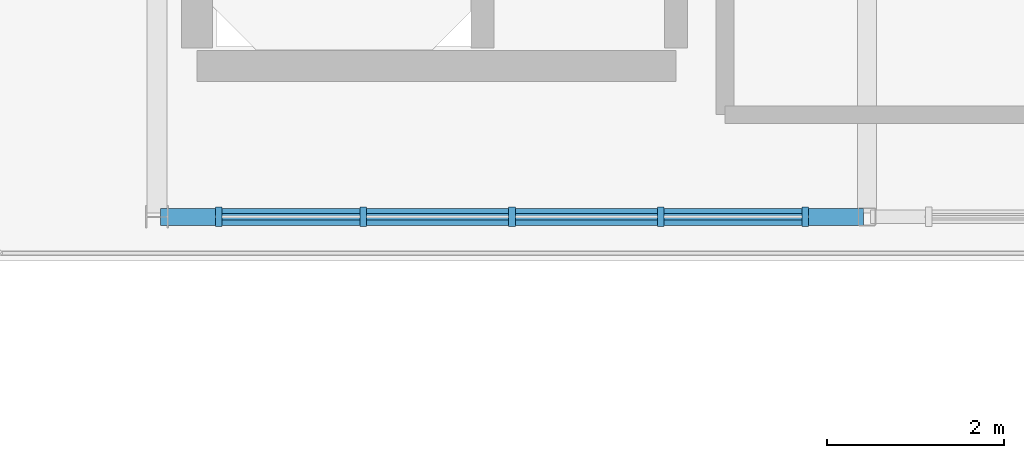
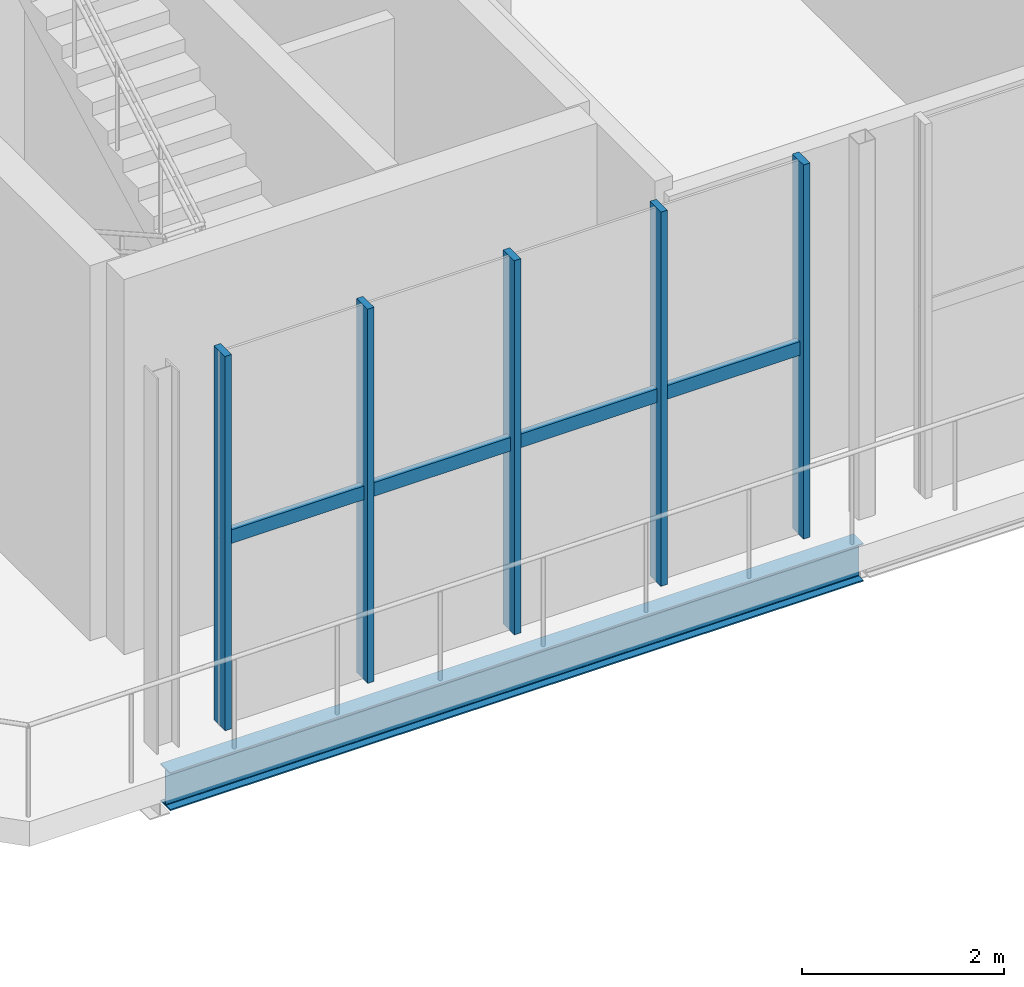
# One storey, part 24 of 70: 9 members, 1 beam, 1 element without a shape of its own.
"""IFC4 building model written with IfcOpenShell, lengths in metres."""

from ifc_helpers import new_model, si_unit, direction, frame, origin, origin_2d, place, context, subcontext, project, spatial, rectangle, i_section, extrude, material, material_profile, profile_set, type_object, element, aggregate, save


model = new_model("IFC4")

# Units and contexts
model_context = context("Model", 3, precision=1e-05, world=origin(), true_north=direction((0.0, 1.0)))
body_context = subcontext(model_context, "Body", "Model", "MODEL_VIEW")
ifc_project = project(units=[si_unit("LENGTHUNIT", "METRE"), si_unit("AREAUNIT", "SQUARE_METRE"), si_unit("VOLUMEUNIT", "CUBIC_METRE"), si_unit("PLANEANGLEUNIT", "RADIAN"), si_unit("MASSUNIT", "GRAM", prefix="KILO")], contexts=[model_context])

# Site, building, storey
site_placement = place(None, origin())
site = spatial("IfcSite", under=ifc_project, at=site_placement, CompositionType="ELEMENT")
building_placement = place(site_placement, origin())
building = spatial("IfcBuilding", under=site, at=building_placement, Name="Brisemont Oceanarium", CompositionType="ELEMENT")
storey_placement = place(building_placement, frame((0.0, 0.0, 10.199951171875)))
storey = spatial("IfcBuildingStorey", under=building, at=storey_placement, Name="L02", CompositionType="ELEMENT", Elevation=10.199951171875)

# Beam
ifc_material_1 = material(Name="Structural Steel ASTM A992 Gr.50", Category="steel")
ifc_material_profile_1 = material_profile(ifc_material_1, i_section(OverallWidth=0.19091796875, OverallDepth=0.4599609375, WebThickness=0.010009765625, FlangeThickness=0.01611328125, FilletRadius=0.010986328125, at=origin_2d()), Name="W18X55")
ifc_profile_set_1 = profile_set([ifc_material_profile_1], Name="Structural Steel ASTM A992 Gr.50")
beam_type = type_object("IfcBeamType", Name="BM-W18X55", PredefinedType="SPANDREL", material=ifc_profile_set_1)
beam_placement = place(storey_placement, frame((64.0400390625, 32.64990234375, -0.530029296875), z_axis=(1.0, 0.0, 0.0), x_axis=(0.0, 1.0, 0.0)))
element("IfcBeam", 1, at=beam_placement, inside=storey, type_object=beam_type, Name="V1 L02 EW girder", PredefinedType="SPANDREL", context=body_context, shape_type="SweptSolid", body=[
    extrude(i_section(OverallWidth=0.19091796875, OverallDepth=0.4599609375, WebThickness=0.010009765625, FlangeThickness=0.01611328125, FilletRadius=0.010986328125, at=origin_2d()), origin(), (0.0, 0.0, 1.0), 7.919921875),
])

# Curtain wall, members
ifc_material_2 = material(Name="Anodized Extruded Aluminum 6063-T6", Category="aluminium")
curtain_wall_type = type_object("IfcCurtainWallType", Name="CW-ROT-69X45", PredefinedType="NOTDEFINED", material=ifc_material_2)
curtain_wall_placement = place(storey_placement, origin())
curtain_wall = element("IfcCurtainWall", 2, at=curtain_wall_placement, inside=storey, type_object=curtain_wall_type, Name="CW-02 curtain wall CW-V1-S-L02-01", PredefinedType="NOTDEFINED")
ifc_material_3 = material(Name="Anodized Extruded Aluminum 6063-T6", Category="aluminium")
ifc_material_profile_2 = material_profile(ifc_material_3, rectangle(XDim=0.074951171875, YDim=0.219970703125, at=origin_2d()), Name="CWM-75X220")
ifc_profile_set_2 = profile_set([ifc_material_profile_2], Name="Anodized Extruded Aluminum 6063-T6")
member_type_1 = type_object("IfcMemberType", Name="MEM-CWM-75", PredefinedType="MULLION", material=ifc_profile_set_2)
member_1_placement = place(storey_placement, frame((64.695068359375, 32.64990234375, 0.0), z_axis=(0.0, 0.0, 1.0), x_axis=(1.0, 0.0, 0.0)))
member_1 = element("IfcMember", 3, at=member_1_placement, type_object=member_type_1, Name="CW-V1-S-L02-01 mullion 1", PredefinedType="MULLION", context=body_context, shape_type="SweptSolid", body=[
    extrude(rectangle(XDim=0.074951171875, YDim=0.219970703125, at=origin_2d()), origin(), (0.0, 0.0, 1.0), 4.52001953125),
])
member_2_placement = place(storey_placement, frame((66.324951171875, 32.64990234375, 0.0), z_axis=(0.0, 0.0, 1.0), x_axis=(1.0, 0.0, 0.0)))
member_2 = element("IfcMember", 4, at=member_2_placement, type_object=member_type_1, Name="CW-V1-S-L02-01 mullion 2", PredefinedType="MULLION", context=body_context, shape_type="SweptSolid", body=[
    extrude(rectangle(XDim=0.074951171875, YDim=0.219970703125, at=origin_2d()), origin(), (0.0, 0.0, 1.0), 4.52001953125),
])
member_3_placement = place(storey_placement, frame((68.0, 32.64990234375, 0.0), z_axis=(0.0, 0.0, 1.0), x_axis=(1.0, 0.0, 0.0)))
member_3 = element("IfcMember", 5, at=member_3_placement, type_object=member_type_1, Name="CW-V1-S-L02-01 mullion 3", PredefinedType="MULLION", context=body_context, shape_type="SweptSolid", body=[
    extrude(rectangle(XDim=0.074951171875, YDim=0.219970703125, at=origin_2d()), origin(), (0.0, 0.0, 1.0), 4.52001953125),
])
member_4_placement = place(storey_placement, frame((69.675048828125, 32.64990234375, 0.0), z_axis=(0.0, 0.0, 1.0), x_axis=(1.0, 0.0, 0.0)))
member_4 = element("IfcMember", 6, at=member_4_placement, type_object=member_type_1, Name="CW-V1-S-L02-01 mullion 4", PredefinedType="MULLION", context=body_context, shape_type="SweptSolid", body=[
    extrude(rectangle(XDim=0.074951171875, YDim=0.219970703125, at=origin_2d()), origin(), (0.0, 0.0, 1.0), 4.52001953125),
])
member_5_placement = place(storey_placement, frame((71.304931640625, 32.64990234375, 0.0), z_axis=(0.0, 0.0, 1.0), x_axis=(1.0, 0.0, 0.0)))
member_5 = element("IfcMember", 7, at=member_5_placement, type_object=member_type_1, Name="CW-V1-S-L02-01 mullion 5", PredefinedType="MULLION", context=body_context, shape_type="SweptSolid", body=[
    extrude(rectangle(XDim=0.074951171875, YDim=0.219970703125, at=origin_2d()), origin(), (0.0, 0.0, 1.0), 4.52001953125),
])
ifc_material_4 = material(Name="Anodized Extruded Aluminum 6063-T6", Category="aluminium")
ifc_material_profile_3 = material_profile(ifc_material_4, rectangle(XDim=0.074951171875, YDim=0.1650390625, at=origin_2d()), Name="CWT-75X165")
ifc_profile_set_3 = profile_set([ifc_material_profile_3], Name="Anodized Extruded Aluminum 6063-T6")
member_type_2 = type_object("IfcMemberType", Name="MEM-CWT-75", PredefinedType="USERDEFINED", material=ifc_profile_set_3)
member_6_placement = place(storey_placement, frame((64.6650390625, 32.64990234375, 2.260009765625), z_axis=(1.0, 0.0, 0.0), x_axis=(0.0, 1.0, 0.0)))
member_6 = element("IfcMember", 8, at=member_6_placement, type_object=member_type_2, Name="CW-V1-S-L02-01 transom 1.1", ObjectType="TRANSOM", PredefinedType="USERDEFINED", context=body_context, shape_type="SweptSolid", body=[
    extrude(rectangle(XDim=0.074951171875, YDim=0.1650390625, at=origin_2d()), origin(), (0.0, 0.0, 1.0), 1.64501953125),
])
member_7_placement = place(storey_placement, frame((66.340087890625, 32.64990234375, 2.260009765625), z_axis=(1.0, 0.0, 0.0), x_axis=(0.0, 1.0, 0.0)))
member_7 = element("IfcMember", 9, at=member_7_placement, type_object=member_type_2, Name="CW-V1-S-L02-01 transom 2.1", ObjectType="TRANSOM", PredefinedType="USERDEFINED", context=body_context, shape_type="SweptSolid", body=[
    extrude(rectangle(XDim=0.074951171875, YDim=0.1650390625, at=origin_2d()), origin(), (0.0, 0.0, 1.0), 1.64501953125),
])
member_8_placement = place(storey_placement, frame((68.014892578125, 32.64990234375, 2.260009765625), z_axis=(1.0, 0.0, 0.0), x_axis=(0.0, 1.0, 0.0)))
member_8 = element("IfcMember", 10, at=member_8_placement, type_object=member_type_2, Name="CW-V1-S-L02-01 transom 3.1", ObjectType="TRANSOM", PredefinedType="USERDEFINED", context=body_context, shape_type="SweptSolid", body=[
    extrude(rectangle(XDim=0.074951171875, YDim=0.1650390625, at=origin_2d()), origin(), (0.0, 0.0, 1.0), 1.64501953125),
])
member_9_placement = place(storey_placement, frame((69.68994140625, 32.64990234375, 2.260009765625), z_axis=(1.0, 0.0, 0.0), x_axis=(0.0, 1.0, 0.0)))
member_9 = element("IfcMember", 11, at=member_9_placement, type_object=member_type_2, Name="CW-V1-S-L02-01 transom 4.1", ObjectType="TRANSOM", PredefinedType="USERDEFINED", context=body_context, shape_type="SweptSolid", body=[
    extrude(rectangle(XDim=0.074951171875, YDim=0.1650390625, at=origin_2d()), origin(), (0.0, 0.0, 1.0), 1.64501953125),
])
aggregate(curtain_wall, [member_1, member_2, member_3, member_4, member_5, member_6, member_7, member_8, member_9])

save(model, "model.ifc")
